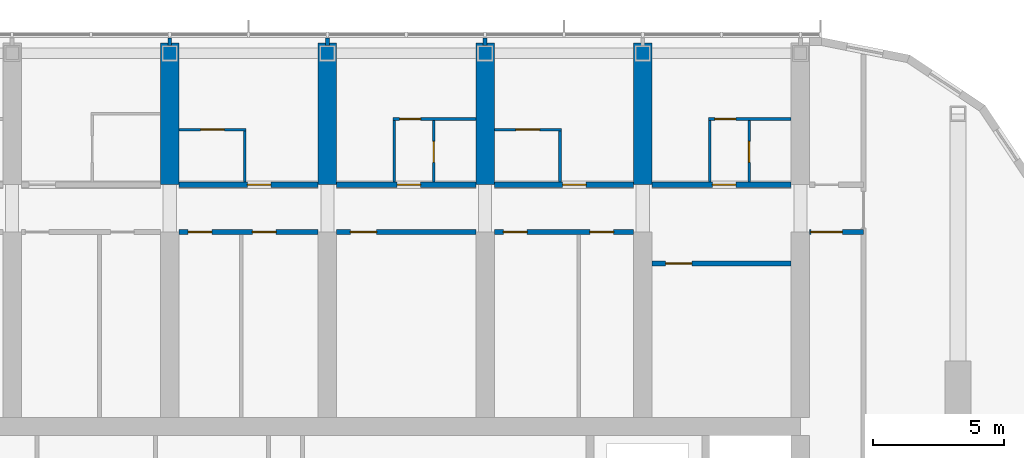
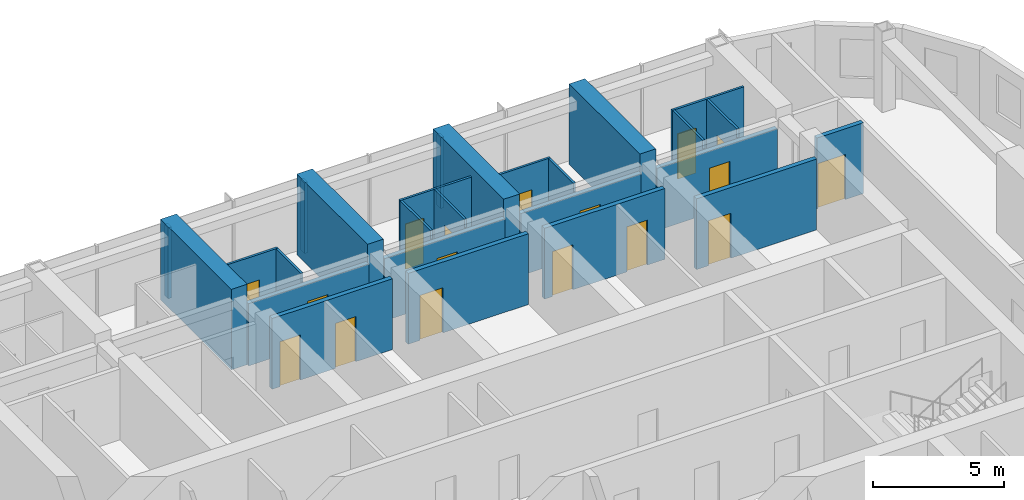
# One storey, part 17 of 23: 26 walls, 17 doors, 17 openings.
"""IFC4 building model written with IfcOpenShell, lengths in metres."""

import ifcopenshell
import ifcopenshell.guid

model = None  # the IFC model being written
_history = None  # IfcOwnerHistory: only IFC2X3 demands one
_inside = {}  # id of a spatial element -> (the spatial element, [elements in it])
_under = {}  # id of a project, library or spatial element -> (it, [spatial elements below it])
_declared = {}  # id of a project -> (the project, [libraries it declares])
_typed = {}  # id of a type object -> (the type object, [elements of that type])
_made_of = {}  # id of a material, layer set ... -> (it, [elements and type objects made of it])


def new_model(schema):
    """Start an empty IFC model of exactly this schema.

    Asked for "IFC4X3", IfcOpenShell would pick the latest addendum, in which some entities
    have other attributes; the version numbers below select the first issue.
    IFC2X3 requires an IfcOwnerHistory on every rooted entity: one is made here for all.
    """
    global model, _history
    if schema == "IFC4X3":
        model = ifcopenshell.file(schema_version=(4, 3, 0, 0))
    else:
        model = ifcopenshell.file(schema=schema)
    _inside.clear()
    _under.clear()
    _declared.clear()
    _typed.clear()
    _made_of.clear()
    _history = None
    if model.schema == "IFC2X3":
        org = make("IfcOrganization", Name="unknown")
        user = make(
            "IfcPersonAndOrganization",
            ThePerson=make("IfcPerson", FamilyName="unknown"),
            TheOrganization=org,
        )
        app = make(
            "IfcApplication",
            ApplicationDeveloper=org,
            Version="unknown",
            ApplicationFullName="unknown",
            ApplicationIdentifier="unknown",
        )
        _history = make(
            "IfcOwnerHistory",
            OwningUser=user,
            OwningApplication=app,
            ChangeAction="ADDED",
            CreationDate=0,
        )
    return model


def make(cls, **values):
    """One entity of the class cls with the attributes given. An attribute that is None is left unset."""
    return model.create_entity(
        cls, **{name: value for name, value in values.items() if value is not None}
    )


def rooted(cls, **values):
    """An entity with a GlobalId (a new one), such as an element, a storey or a relation."""
    return make(cls, GlobalId=ifcopenshell.guid.new(), OwnerHistory=_history, **values)


def si_unit(unit_type, name, prefix=None):
    """IfcSIUnit, for example si_unit("LENGTHUNIT", "METRE", prefix="MILLI")."""
    return make("IfcSIUnit", UnitType=unit_type, Prefix=prefix, Name=name)


def assignment(units):
    """IfcUnitAssignment: the units of a project."""
    return None if units is None else make("IfcUnitAssignment", Units=units)


def point(xyz):
    """IfcCartesianPoint."""
    return None if xyz is None else make("IfcCartesianPoint", Coordinates=xyz)


def direction(xyz):
    """IfcDirection."""
    return None if xyz is None else make("IfcDirection", DirectionRatios=xyz)


def frame(location, z_axis=None, x_axis=None):
    """IfcAxis2Placement3D, a coordinate frame: its origin and axes. An axis left out is left unset."""
    return make(
        "IfcAxis2Placement3D",
        Location=point(location),
        Axis=direction(z_axis),
        RefDirection=direction(x_axis),
    )


def frame_2d(location, x_axis=None):
    """IfcAxis2Placement2D, a coordinate frame in the plane: its origin and x axis."""
    return make(
        "IfcAxis2Placement2D", Location=point(location), RefDirection=direction(x_axis)
    )


def origin():
    """The frame at (0, 0, 0) with its axes left unset."""
    return frame((0.0, 0.0, 0.0))


def place(relative_to, where):
    """IfcLocalPlacement: puts the frame where relative to a parent placement (None: the world)."""
    return make(
        "IfcLocalPlacement", PlacementRelTo=relative_to, RelativePlacement=where
    )


def context(
    kind, dimensions, precision=None, world=None, true_north=None, identifier=None
):
    """IfcGeometricRepresentationContext, for example the 3D "Model" context."""
    return make(
        "IfcGeometricRepresentationContext",
        ContextIdentifier=identifier,
        ContextType=kind,
        CoordinateSpaceDimension=dimensions,
        Precision=precision,
        WorldCoordinateSystem=world,
        TrueNorth=true_north,
    )


def subcontext(parent, identifier, kind, view, scale=None):
    """IfcGeometricRepresentationSubContext, for example "Body" below "Model"."""
    return make(
        "IfcGeometricRepresentationSubContext",
        ContextIdentifier=identifier,
        ContextType=kind,
        ParentContext=parent,
        TargetScale=scale,
        TargetView=view,
    )


def project(units=None, contexts=None):
    """IfcProject with its units and contexts."""
    return rooted(
        "IfcProject",
        Name="project",
        RepresentationContexts=contexts,
        UnitsInContext=assignment(units),
    )


def spatial(cls, under=None, at=None, **own):
    """A site, building, storey or space (cls), placed at a placement, below another one or the project."""
    s = rooted(cls, ObjectPlacement=at, **own)
    if under is not None:
        _under.setdefault(under.id(), (under, []))[1].append(s)
    return s


def polyline(points):
    """IfcPolyline through the points."""
    return make("IfcPolyline", Points=[point(p) for p in points])


def profile(cls, at=None, kind="AREA", **sizes):
    """A parametric profile (cls). Its sizes go by their IFC names, for example OverallWidth=200.0."""
    return make(cls, ProfileType=kind, Position=at, **sizes)


def rectangle(**sizes):
    """IfcRectangleProfileDef."""
    return profile("IfcRectangleProfileDef", **sizes)


def outline(outer, holes=None, kind="AREA"):
    """IfcArbitraryClosedProfileDef: a profile drawn as a closed curve; with holes, ...WithVoids."""
    if holes is None:
        return make("IfcArbitraryClosedProfileDef", ProfileType=kind, OuterCurve=outer)
    return make(
        "IfcArbitraryProfileDefWithVoids",
        ProfileType=kind,
        OuterCurve=outer,
        InnerCurves=holes,
    )


def extrude(swept, where, along, depth):
    """IfcExtrudedAreaSolid: the profile swept, set in the frame where, extruded along a direction by depth."""
    return make(
        "IfcExtrudedAreaSolid",
        SweptArea=swept,
        Position=where,
        ExtrudedDirection=direction(along),
        Depth=depth,
    )


def shape(context_of_items, identifier, shape_type, items):
    """IfcShapeRepresentation: the items that make up one representation, for example the "Body"."""
    return make(
        "IfcShapeRepresentation",
        ContextOfItems=context_of_items,
        RepresentationIdentifier=identifier,
        RepresentationType=shape_type,
        Items=items,
    )


def material(Name=None, Category=None):
    """IfcMaterial."""
    return make("IfcMaterial", Name=Name, Category=Category)


def layer(
    of_material, thickness, ventilated=None, Name=None, Category=None, Priority=None
):
    """IfcMaterialLayer: one layer of a wall or slab, of a material (None: an air gap)."""
    return make(
        "IfcMaterialLayer",
        Material=of_material,
        LayerThickness=thickness,
        IsVentilated=ventilated,
        Name=Name,
        Category=Category,
        Priority=Priority,
    )


def layer_set(layers, Name=None):
    """IfcMaterialLayerSet."""
    return make("IfcMaterialLayerSet", MaterialLayers=layers, LayerSetName=Name)


def made_of(thing, what):
    """Note that an element or type object is made of a material, layer set ...; save() writes the relation."""
    if what is not None:
        _made_of.setdefault(what.id(), (what, []))[1].append(thing)
    return thing


def type_object(cls, material=None, **own):
    """A type object (cls), such as IfcWallType, which elements share."""
    return made_of(rooted(cls, **own), material)


def element(
    cls,
    number,
    at=None,
    inside=None,
    cuts=None,
    type_object=None,
    material=None,
    context=None,
    identifier="Body",
    shape_type=None,
    held_by="IfcProductDefinitionShape",
    body=None,
    shapes=None,
    **own,
):
    """One element of the class cls, such as IfcWall. Its Tag is "e" and its number.

    at: its placement. inside: the storey or other place that contains it. cuts: it is an
    opening in that element (IfcRelVoidsElement). A single representation is given by context,
    identifier, shape_type and body (its items); several are given by shapes. held_by: the class
    of the entity that holds the representations. save() writes the other relations.
    """
    e = rooted(cls, Tag="e%d" % number, ObjectPlacement=at, **own)
    if body is not None:
        shapes = [shape(context, identifier, shape_type, body)]
    if shapes is not None:
        e.Representation = make(held_by, Representations=shapes)
    if inside is not None:
        _inside.setdefault(inside.id(), (inside, []))[1].append(e)
    if cuts is not None:
        rooted(
            "IfcRelVoidsElement", RelatingBuildingElement=cuts, RelatedOpeningElement=e
        )
    if type_object is not None:
        _typed.setdefault(type_object.id(), (type_object, []))[1].append(e)
    return made_of(e, material)


def fill(opening, filler):
    """IfcRelFillsElement: the door or window that sits in an opening."""
    return rooted(
        "IfcRelFillsElement",
        RelatingOpeningElement=opening,
        RelatedBuildingElement=filler,
    )


def aggregate(whole, parts):
    """IfcRelAggregates: a whole, such as a stair, and the parts it consists of."""
    return rooted("IfcRelAggregates", RelatingObject=whole, RelatedObjects=parts)


def save(model, path):
    """Write the relations noted so far, then the file.

    IfcRelAggregates (storeys below a building ...), IfcRelContainedInSpatialStructure (elements
    in a storey), IfcRelDefinesByType, IfcRelAssociatesMaterial and IfcRelDeclares: one each for
    every whole, place, type object, material and project.
    """
    for whole, parts in _under.values():
        aggregate(whole, parts)
    for where, things in _inside.values():
        rooted(
            "IfcRelContainedInSpatialStructure",
            RelatedElements=things,
            RelatingStructure=where,
        )
    for kind, things in _typed.values():
        rooted("IfcRelDefinesByType", RelatedObjects=things, RelatingType=kind)
    for what, things in _made_of.values():
        rooted("IfcRelAssociatesMaterial", RelatedObjects=things, RelatingMaterial=what)
    for by, libraries in _declared.values():
        rooted("IfcRelDeclares", RelatingContext=by, RelatedDefinitions=libraries)
    model.write(path)


model = new_model("IFC4")

# Units and contexts
model_context = context("Model", 3, precision=1e-05, world=origin(), true_north=direction((0.0, 1.0)))
body_context = subcontext(model_context, "Body", "Model", "MODEL_VIEW")
ifc_project = project(units=[si_unit("LENGTHUNIT", "METRE"), si_unit("AREAUNIT", "SQUARE_METRE"), si_unit("VOLUMEUNIT", "CUBIC_METRE"), si_unit("PLANEANGLEUNIT", "RADIAN"), si_unit("MASSUNIT", "GRAM", prefix="KILO")], contexts=[model_context])

# Site, building, storey
site_placement = place(None, origin())
site = spatial("IfcSite", under=ifc_project, at=site_placement, CompositionType="ELEMENT")
building_placement = place(site_placement, origin())
building = spatial("IfcBuilding", under=site, at=building_placement, Name="Orbita Commons", CompositionType="ELEMENT")
storey_placement = place(building_placement, frame((0.0, 0.0, 227.800048828125)))
storey = spatial("IfcBuildingStorey", under=building, at=storey_placement, Name="L56", CompositionType="ELEMENT", Elevation=227.800048828125)

# Wall, opening, door
ifc_material_1 = material(Name="Concrete blockwork", Category="masonry")
ifc_layer_1 = layer(ifc_material_1, 0.199951171875)
ifc_layer_set_1 = layer_set([ifc_layer_1], Name="Concrete blockwork")
wall_type_1 = type_object("IfcWallType", Name="Corridor wall 200 blockwork", PredefinedType="SOLIDWALL", material=ifc_layer_set_1)
wall_1_placement = place(storey_placement, frame((42.35009765625, 47.39990234375, 0.0), z_axis=(0.0, 0.0, 1.0), x_axis=(1.0, 0.0, 0.0)))
wall_1 = element("IfcWall", 1, at=wall_1_placement, inside=storey, type_object=wall_type_1, Name="Corridor wall 200 blockwork L56", PredefinedType="SOLIDWALL", context=body_context, shape_type="SweptSolid", body=[
    extrude(outline(polyline([(0.0, 0.0), (5.2998046875, 0.0), (5.300048828125, 2.89990234375), (0.0, 2.89990234375), (0.0, 0.0)])), frame((0.0, 0.10009765625, 0.0), z_axis=(0.0, -1.0, 0.0), x_axis=(1.0, 0.0, 0.0)), (0.0, 0.0, 1.0), 0.199951171875),
])
opening_1_placement = place(wall_1_placement, frame((2.60009765625, 0.0, 0.0)))
opening_1 = element("IfcOpeningElement", 2, at=opening_1_placement, cuts=wall_1, Name="Opening D11", PredefinedType="OPENING", context=body_context, shape_type="SweptSolid", body=[
    extrude(rectangle(XDim=0.89990234375, YDim=2.10009765625, at=frame_2d((0.449951171875, 1.050048828125))), frame((0.0, 0.10986328125, 0.0), z_axis=(0.0, -1.0, 0.0), x_axis=(1.0, 0.0, 0.0)), (0.0, 0.0, 1.0), 0.219970703125),
])
ifc_material_2 = material(Name="Steel-faced fire door leaf", Category="steel")
door_type_1 = type_object("IfcDoorType", Name="Corridor door 20 min 900x2100", OperationType="SINGLE_SWING_LEFT", PredefinedType="DOOR", material=ifc_material_2)
door_1_placement = place(opening_1_placement, origin())
door_1 = element("IfcDoor", 3, at=door_1_placement, inside=storey, type_object=door_type_1, Name="Studio apartment with kitchenette L56-N08 door", OperationType="SINGLE_SWING_LEFT", OverallHeight=2.10009765625, OverallWidth=0.89990234375, PredefinedType="DOOR", context=body_context, shape_type="SweptSolid", body=[
    extrude(rectangle(XDim=0.89990234375, YDim=2.10009765625, at=frame_2d((0.449951171875, 1.050048828125))), frame((0.0, 0.02490234375, 0.0), z_axis=(0.0, -1.0, 0.0), x_axis=(1.0, 0.0, 0.0)), (0.0, 0.0, 1.0), 0.050048828125),
])
fill(opening_1, door_1)

wall_2_placement = place(storey_placement, frame((48.35009765625, 47.39990234375, 0.0), z_axis=(0.0, 0.0, 1.0), x_axis=(1.0, 0.0, 0.0)))
wall_2 = element("IfcWall", 4, at=wall_2_placement, inside=storey, type_object=wall_type_1, Name="Corridor wall 200 blockwork L56", PredefinedType="SOLIDWALL", context=body_context, shape_type="SweptSolid", body=[
    extrude(outline(polyline([(0.0, 0.0), (5.2998046875, 0.0), (5.300048828125, 2.89990234375), (0.0, 2.89990234375), (0.0, 0.0)])), frame((0.0, 0.10009765625, 0.0), z_axis=(0.0, -1.0, 0.0), x_axis=(1.0, 0.0, 0.0)), (0.0, 0.0, 1.0), 0.199951171875),
])
opening_2_placement = place(wall_2_placement, frame((2.300048828125, 0.0, 0.0)))
opening_2 = element("IfcOpeningElement", 5, at=opening_2_placement, cuts=wall_2, Name="Opening D11", PredefinedType="OPENING", context=body_context, shape_type="SweptSolid", body=[
    extrude(rectangle(XDim=0.89990234375, YDim=2.10009765625, at=frame_2d((0.449951171875, 1.050048828125))), frame((0.0, 0.10986328125, 0.0), z_axis=(0.0, -1.0, 0.0), x_axis=(1.0, 0.0, 0.0)), (0.0, 0.0, 1.0), 0.219970703125),
])
door_2_placement = place(opening_2_placement, origin())
door_2 = element("IfcDoor", 6, at=door_2_placement, inside=storey, type_object=door_type_1, Name="Studio flat L56-N10 entrance door", OperationType="SINGLE_SWING_LEFT", OverallHeight=2.10009765625, OverallWidth=0.89990234375, PredefinedType="DOOR", context=body_context, shape_type="SweptSolid", body=[
    extrude(rectangle(XDim=0.89990234375, YDim=2.10009765625, at=frame_2d((0.449951171875, 1.050048828125))), frame((0.0, 0.02490234375, 0.0), z_axis=(0.0, -1.0, 0.0), x_axis=(1.0, 0.0, 0.0)), (0.0, 0.0, 1.0), 0.050048828125),
])
fill(opening_2, door_2)

wall_3_placement = place(storey_placement, frame((54.35009765625, 47.39990234375, 0.0), z_axis=(0.0, 0.0, 1.0), x_axis=(1.0, 0.0, 0.0)))
wall_3 = element("IfcWall", 7, at=wall_3_placement, inside=storey, type_object=wall_type_1, Name="Corridor wall 200 blockwork L56", PredefinedType="SOLIDWALL", context=body_context, shape_type="SweptSolid", body=[
    extrude(outline(polyline([(0.0, 0.0), (5.2998046875, 0.0), (5.300048828125, 2.89990234375), (0.0, 2.89990234375), (0.0, 0.0)])), frame((0.0, 0.10009765625, 0.0), z_axis=(0.0, -1.0, 0.0), x_axis=(1.0, 0.0, 0.0)), (0.0, 0.0, 1.0), 0.199951171875),
])
opening_3_placement = place(wall_3_placement, frame((2.60009765625, 0.0, 0.0)))
opening_3 = element("IfcOpeningElement", 8, at=opening_3_placement, cuts=wall_3, Name="Opening D11", PredefinedType="OPENING", context=body_context, shape_type="SweptSolid", body=[
    extrude(rectangle(XDim=0.89990234375, YDim=2.10009765625, at=frame_2d((0.449951171875, 1.050048828125))), frame((0.0, 0.10986328125, 0.0), z_axis=(0.0, -1.0, 0.0), x_axis=(1.0, 0.0, 0.0)), (0.0, 0.0, 1.0), 0.219970703125),
])
door_3_placement = place(opening_3_placement, origin())
door_3 = element("IfcDoor", 9, at=door_3_placement, inside=storey, type_object=door_type_1, Name="Studio apartment with kitchenette L56-N12 door", OperationType="SINGLE_SWING_LEFT", OverallHeight=2.10009765625, OverallWidth=0.89990234375, PredefinedType="DOOR", context=body_context, shape_type="SweptSolid", body=[
    extrude(rectangle(XDim=0.89990234375, YDim=2.10009765625, at=frame_2d((0.449951171875, 1.050048828125))), frame((0.0, 0.02490234375, 0.0), z_axis=(0.0, -1.0, 0.0), x_axis=(1.0, 0.0, 0.0)), (0.0, 0.0, 1.0), 0.050048828125),
])
fill(opening_3, door_3)

wall_4_placement = place(storey_placement, frame((60.35009765625, 47.39990234375, 0.0), z_axis=(0.0, 0.0, 1.0), x_axis=(1.0, 0.0, 0.0)))
wall_4 = element("IfcWall", 10, at=wall_4_placement, inside=storey, type_object=wall_type_1, Name="Corridor wall 200 blockwork L56", PredefinedType="SOLIDWALL", context=body_context, shape_type="SweptSolid", body=[
    extrude(outline(polyline([(0.0, 0.0), (5.2998046875, 0.0), (5.300048828125, 2.89990234375), (0.0, 2.89990234375), (0.0, 0.0)])), frame((0.0, 0.10009765625, 0.0), z_axis=(0.0, -1.0, 0.0), x_axis=(1.0, 0.0, 0.0)), (0.0, 0.0, 1.0), 0.199951171875),
])
opening_4_placement = place(wall_4_placement, frame((2.300048828125, 0.0, 0.0)))
opening_4 = element("IfcOpeningElement", 11, at=opening_4_placement, cuts=wall_4, Name="Opening D11", PredefinedType="OPENING", context=body_context, shape_type="SweptSolid", body=[
    extrude(rectangle(XDim=0.89990234375, YDim=2.10009765625, at=frame_2d((0.449951171875, 1.050048828125))), frame((0.0, 0.10986328125, 0.0), z_axis=(0.0, -1.0, 0.0), x_axis=(1.0, 0.0, 0.0)), (0.0, 0.0, 1.0), 0.219970703125),
])
door_4_placement = place(opening_4_placement, origin())
door_4 = element("IfcDoor", 12, at=door_4_placement, inside=storey, type_object=door_type_1, Name="Studio flat L56-N14 entrance door", OperationType="SINGLE_SWING_LEFT", OverallHeight=2.10009765625, OverallWidth=0.89990234375, PredefinedType="DOOR", context=body_context, shape_type="SweptSolid", body=[
    extrude(rectangle(XDim=0.89990234375, YDim=2.10009765625, at=frame_2d((0.449951171875, 1.050048828125))), frame((0.0, 0.02490234375, 0.0), z_axis=(0.0, -1.0, 0.0), x_axis=(1.0, 0.0, 0.0)), (0.0, 0.0, 1.0), 0.050048828125),
])
fill(opening_4, door_4)

# Wall, openings, doors
ifc_material_3 = material(Name="Hollow concrete block 200", Category="concrete")
ifc_layer_2 = layer(ifc_material_3, 0.199951171875)
ifc_layer_set_2 = layer_set([ifc_layer_2], Name="Hollow concrete block 200")
wall_type_2 = type_object("IfcWallType", Name="Corridor wall 200 hollow concrete block", PredefinedType="SOLIDWALL", material=ifc_layer_set_2)
wall_5_placement = place(storey_placement, frame((42.35009765625, 45.60009765625, 0.0), z_axis=(0.0, 0.0, 1.0), x_axis=(1.0, 0.0, 0.0)))
wall_5 = element("IfcWall", 13, at=wall_5_placement, inside=storey, type_object=wall_type_2, Name="Corridor wall 200 hollow concrete block L56", PredefinedType="SOLIDWALL", context=body_context, shape_type="SweptSolid", body=[
    extrude(rectangle(XDim=5.2998046875, YDim=0.199951171875, at=frame_2d((2.64990234375, 0.0))), origin(), (0.0, 0.0, 1.0), 3.300048828125),
])
opening_5_placement = place(wall_5_placement, frame((0.35009765625, 0.0, 0.0)))
opening_5 = element("IfcOpeningElement", 14, at=opening_5_placement, cuts=wall_5, Name="Opening D11", PredefinedType="OPENING", context=body_context, shape_type="SweptSolid", body=[
    extrude(rectangle(XDim=0.89990234375, YDim=2.10009765625, at=frame_2d((0.449951171875, 1.050048828125))), frame((0.0, 0.10986328125, 0.0), z_axis=(0.0, -1.0, 0.0), x_axis=(1.0, 0.0, 0.0)), (0.0, 0.0, 1.0), 0.219970703125),
])
opening_6_placement = place(wall_5_placement, frame((2.794921875, 0.0, 0.0)))
opening_6 = element("IfcOpeningElement", 15, at=opening_6_placement, cuts=wall_5, Name="Opening D11", PredefinedType="OPENING", context=body_context, shape_type="SweptSolid", body=[
    extrude(rectangle(XDim=0.89990234375, YDim=2.10009765625, at=frame_2d((0.449951171875, 1.050048828125))), frame((0.0, 0.10986328125, 0.0), z_axis=(0.0, -1.0, 0.0), x_axis=(1.0, 0.0, 0.0)), (0.0, 0.0, 1.0), 0.219970703125),
])
door_5_placement = place(opening_5_placement, origin())
door_5 = element("IfcDoor", 16, at=door_5_placement, inside=storey, type_object=door_type_1, Name="Sprinkler valve room L56-BDN42n door", OperationType="SINGLE_SWING_LEFT", OverallHeight=2.10009765625, OverallWidth=0.89990234375, PredefinedType="DOOR", context=body_context, shape_type="SweptSolid", body=[
    extrude(rectangle(XDim=0.89990234375, YDim=2.10009765625, at=frame_2d((0.449951171875, 1.050048828125))), frame((0.0, 0.02490234375, 0.0), z_axis=(0.0, -1.0, 0.0), x_axis=(1.0, 0.0, 0.0)), (0.0, 0.0, 1.0), 0.050048828125),
])
fill(opening_5, door_5)
door_6_placement = place(opening_6_placement, origin())
door_6 = element("IfcDoor", 17, at=door_6_placement, inside=storey, type_object=door_type_1, Name="Parcel and post room L56-BDN42 door", OperationType="SINGLE_SWING_LEFT", OverallHeight=2.10009765625, OverallWidth=0.89990234375, PredefinedType="DOOR", context=body_context, shape_type="SweptSolid", body=[
    extrude(rectangle(XDim=0.89990234375, YDim=2.10009765625, at=frame_2d((0.449951171875, 1.050048828125))), frame((0.0, 0.02490234375, 0.0), z_axis=(0.0, -1.0, 0.0), x_axis=(1.0, 0.0, 0.0)), (0.0, 0.0, 1.0), 0.050048828125),
])
fill(opening_6, door_6)

# Wall, opening, door
wall_6_placement = place(storey_placement, frame((48.35009765625, 45.60009765625, 0.0), z_axis=(0.0, 0.0, 1.0), x_axis=(1.0, 0.0, 0.0)))
wall_6 = element("IfcWall", 18, at=wall_6_placement, inside=storey, type_object=wall_type_2, Name="Corridor wall 200 hollow concrete block L56", PredefinedType="SOLIDWALL", context=body_context, shape_type="SweptSolid", body=[
    extrude(rectangle(XDim=5.2998046875, YDim=0.199951171875, at=frame_2d((2.64990234375, 0.0))), origin(), (0.0, 0.0, 1.0), 3.300048828125),
])
opening_7_placement = place(wall_6_placement, frame((0.52490234375, 0.0, 0.0)))
opening_7 = element("IfcOpeningElement", 19, at=opening_7_placement, cuts=wall_6, Name="Opening D06", PredefinedType="OPENING", context=body_context, shape_type="SweptSolid", body=[
    extrude(rectangle(XDim=1.0, YDim=2.10009765625, at=frame_2d((0.5, 1.050048828125))), frame((0.0, 0.10986328125, 0.0), z_axis=(0.0, -1.0, 0.0), x_axis=(1.0, 0.0, 0.0)), (0.0, 0.0, 1.0), 0.219970703125),
])
ifc_material_4 = material(Name="Steel-faced fire door leaf", Category="steel")
door_type_2 = type_object("IfcDoorType", Name="Corridor door 20 min 1000x2100", OperationType="SINGLE_SWING_LEFT", PredefinedType="DOOR", material=ifc_material_4)
door_7_placement = place(opening_7_placement, origin())
door_7 = element("IfcDoor", 20, at=door_7_placement, inside=storey, type_object=door_type_2, Name="Store L56-BDN48 door", OperationType="SINGLE_SWING_LEFT", OverallHeight=2.10009765625, OverallWidth=1.0, PredefinedType="DOOR", context=body_context, shape_type="SweptSolid", body=[
    extrude(rectangle(XDim=1.0, YDim=2.10009765625, at=frame_2d((0.5, 1.050048828125))), frame((0.0, 0.02490234375, 0.0), z_axis=(0.0, -1.0, 0.0), x_axis=(1.0, 0.0, 0.0)), (0.0, 0.0, 1.0), 0.050048828125),
])
fill(opening_7, door_7)

# Wall, openings, doors
wall_7_placement = place(storey_placement, frame((54.35009765625, 45.60009765625, 0.0), z_axis=(0.0, 0.0, 1.0), x_axis=(1.0, 0.0, 0.0)))
wall_7 = element("IfcWall", 21, at=wall_7_placement, inside=storey, type_object=wall_type_2, Name="Corridor wall 200 hollow concrete block L56", PredefinedType="SOLIDWALL", context=body_context, shape_type="SweptSolid", body=[
    extrude(rectangle(XDim=5.2998046875, YDim=0.199951171875, at=frame_2d((2.64990234375, 0.0))), origin(), (0.0, 0.0, 1.0), 3.300048828125),
])
opening_8_placement = place(wall_7_placement, frame((0.35009765625, 0.0, 0.0)))
opening_8 = element("IfcOpeningElement", 22, at=opening_8_placement, cuts=wall_7, Name="Opening D11", PredefinedType="OPENING", context=body_context, shape_type="SweptSolid", body=[
    extrude(rectangle(XDim=0.89990234375, YDim=2.10009765625, at=frame_2d((0.449951171875, 1.050048828125))), frame((0.0, 0.10986328125, 0.0), z_axis=(0.0, -1.0, 0.0), x_axis=(1.0, 0.0, 0.0)), (0.0, 0.0, 1.0), 0.219970703125),
])
opening_9_placement = place(wall_7_placement, frame((3.639892578125, 0.0, 0.0)))
opening_9 = element("IfcOpeningElement", 23, at=opening_9_placement, cuts=wall_7, Name="Opening D11", PredefinedType="OPENING", context=body_context, shape_type="SweptSolid", body=[
    extrude(rectangle(XDim=0.89990234375, YDim=2.10009765625, at=frame_2d((0.449951171875, 1.050048828125))), frame((0.0, 0.10986328125, 0.0), z_axis=(0.0, -1.0, 0.0), x_axis=(1.0, 0.0, 0.0)), (0.0, 0.0, 1.0), 0.219970703125),
])
door_8_placement = place(opening_8_placement, origin())
door_8 = element("IfcDoor", 24, at=door_8_placement, inside=storey, type_object=door_type_1, Name="Linen store L56-BDN54 door", OperationType="SINGLE_SWING_LEFT", OverallHeight=2.10009765625, OverallWidth=0.89990234375, PredefinedType="DOOR", context=body_context, shape_type="SweptSolid", body=[
    extrude(rectangle(XDim=0.89990234375, YDim=2.10009765625, at=frame_2d((0.449951171875, 1.050048828125))), frame((0.0, 0.02490234375, 0.0), z_axis=(0.0, -1.0, 0.0), x_axis=(1.0, 0.0, 0.0)), (0.0, 0.0, 1.0), 0.050048828125),
])
fill(opening_8, door_8)
door_9_placement = place(opening_9_placement, origin())
door_9 = element("IfcDoor", 25, at=door_9_placement, inside=storey, type_object=door_type_1, Name="Water heater cupboard L56-BDN54n door", OperationType="SINGLE_SWING_LEFT", OverallHeight=2.10009765625, OverallWidth=0.89990234375, PredefinedType="DOOR", context=body_context, shape_type="SweptSolid", body=[
    extrude(rectangle(XDim=0.89990234375, YDim=2.10009765625, at=frame_2d((0.449951171875, 1.050048828125))), frame((0.0, 0.02490234375, 0.0), z_axis=(0.0, -1.0, 0.0), x_axis=(1.0, 0.0, 0.0)), (0.0, 0.0, 1.0), 0.050048828125),
])
fill(opening_9, door_9)

# Wall, opening, door
wall_8_placement = place(storey_placement, frame((66.35009765625, 45.60009765625, 0.0), z_axis=(0.0, 0.0, 1.0), x_axis=(1.0, 0.0, 0.0)))
wall_8 = element("IfcWall", 26, at=wall_8_placement, inside=storey, type_object=wall_type_2, Name="Corridor wall 200 hollow concrete block L56", PredefinedType="SOLIDWALL", context=body_context, shape_type="SweptSolid", body=[
    extrude(rectangle(XDim=2.0498046875, YDim=0.199951171875, at=frame_2d((1.02490234375, 0.0))), origin(), (0.0, 0.0, 1.0), 3.300048828125),
])
opening_10_placement = place(wall_8_placement, frame((0.050048828125, 0.0, 0.0)))
opening_10 = element("IfcOpeningElement", 27, at=opening_10_placement, cuts=wall_8, Name="Opening D12", PredefinedType="OPENING", context=body_context, shape_type="SweptSolid", body=[
    extrude(rectangle(XDim=1.199951171875, YDim=2.10009765625, at=frame_2d((0.60009765625, 1.050048828125))), frame((0.0, 0.10986328125, 0.0), z_axis=(0.0, -1.0, 0.0), x_axis=(1.0, 0.0, 0.0)), (0.0, 0.0, 1.0), 0.219970703125),
])
ifc_material_5 = material(Name="Steel-faced fire door leaf", Category="steel")
door_type_3 = type_object("IfcDoorType", Name="Double corridor door 20 min 1200x2100", OperationType="DOUBLE_DOOR_SINGLE_SWING", PredefinedType="DOOR", material=ifc_material_5)
door_10_placement = place(opening_10_placement, origin())
door_10 = element("IfcDoor", 28, at=door_10_placement, inside=storey, type_object=door_type_3, Name="Cross corridor doors", OperationType="DOUBLE_DOOR_SINGLE_SWING", OverallHeight=2.10009765625, OverallWidth=1.199951171875, PredefinedType="DOOR", context=body_context, shape_type="SweptSolid", body=[
    extrude(rectangle(XDim=1.199951171875, YDim=2.10009765625, at=frame_2d((0.60009765625, 1.050048828125))), frame((0.0, 0.02490234375, 0.0), z_axis=(0.0, -1.0, 0.0), x_axis=(1.0, 0.0, 0.0)), (0.0, 0.0, 1.0), 0.050048828125),
])
fill(opening_10, door_10)

wall_9_placement = place(storey_placement, frame((60.35009765625, 44.39990234375, 0.0), z_axis=(0.0, 0.0, 1.0), x_axis=(1.0, 0.0, 0.0)))
wall_9 = element("IfcWall", 29, at=wall_9_placement, inside=storey, type_object=wall_type_2, Name="Corridor wall 200 hollow concrete block L56", PredefinedType="SOLIDWALL", context=body_context, shape_type="SweptSolid", body=[
    extrude(rectangle(XDim=5.2998046875, YDim=0.199951171875, at=frame_2d((2.64990234375, 0.0))), origin(), (0.0, 0.0, 1.0), 3.300048828125),
])
opening_11_placement = place(wall_9_placement, frame((0.52490234375, 0.0, 0.0)))
opening_11 = element("IfcOpeningElement", 30, at=opening_11_placement, cuts=wall_9, Name="Opening D06", PredefinedType="OPENING", context=body_context, shape_type="SweptSolid", body=[
    extrude(rectangle(XDim=1.0, YDim=2.10009765625, at=frame_2d((0.5, 1.050048828125))), frame((0.0, 0.10986328125, 0.0), z_axis=(0.0, -1.0, 0.0), x_axis=(1.0, 0.0, 0.0)), (0.0, 0.0, 1.0), 0.219970703125),
])
door_11_placement = place(opening_11_placement, origin())
door_11 = element("IfcDoor", 31, at=door_11_placement, inside=storey, type_object=door_type_2, Name="Print and copy room L56-BDN60 door", OperationType="SINGLE_SWING_LEFT", OverallHeight=2.10009765625, OverallWidth=1.0, PredefinedType="DOOR", context=body_context, shape_type="SweptSolid", body=[
    extrude(rectangle(XDim=1.0, YDim=2.10009765625, at=frame_2d((0.5, 1.050048828125))), frame((0.0, 0.02490234375, 0.0), z_axis=(0.0, -1.0, 0.0), x_axis=(1.0, 0.0, 0.0)), (0.0, 0.0, 1.0), 0.050048828125),
])
fill(opening_11, door_11)

# Walls
ifc_material_6 = material(Name="Concrete C50/60", Category="concrete")
ifc_layer_3 = layer(ifc_material_6, 0.699951171875)
ifc_layer_set_3 = layer_set([ifc_layer_3], Name="Concrete C50/60")
wall_type_3 = type_object("IfcWallType", Name="Cross wall 700 C50/60", PredefinedType="SHEAR", material=ifc_layer_set_3)
for number, where, z_axis, x_axis, name in (
    (32, (42.0, 47.39990234375, 0.0), (0.0, 0.0, 1.0), (0.0, 1.0, 0.0), "Cross wall 8 north outer L56"),
    (33, (48.0, 47.39990234375, 0.0), (0.0, 0.0, 1.0), (0.0, 1.0, 0.0), "Cross wall 9 north outer L56"),
    (34, (54.0, 47.39990234375, 0.0), (0.0, 0.0, 1.0), (0.0, 1.0, 0.0), "Cross wall 10 north outer L56"),
    (35, (60.0, 47.39990234375, 0.0), (0.0, 0.0, 1.0), (0.0, 1.0, 0.0), "Cross wall 11 north outer L56"),
):
    element("IfcWall", number, at=place(storey_placement, frame(where, z_axis=z_axis, x_axis=x_axis)), inside=storey, type_object=wall_type_3, Name=name, PredefinedType="SHEAR", context=body_context, shape_type="SweptSolid", body=[
        extrude(rectangle(XDim=5.400146484375, YDim=0.699951171875, at=frame_2d((2.7001953125, 0.0))), origin(), (0.0, 0.0, 1.0), 3.75),
    ])

# Wall, opening, door
ifc_material_7 = material(Name="Moisture-resistant plasterboard on steel studs", Category="steel")
ifc_layer_4 = layer(ifc_material_7, 0.10009765625)
ifc_layer_set_4 = layer_set([ifc_layer_4], Name="Moisture-resistant plasterboard on steel studs")
wall_type_4 = type_object("IfcWallType", Name="En-suite partition 100", PredefinedType="PARTITIONING", material=ifc_layer_set_4)
wall_10_placement = place(storey_placement, frame((42.35009765625, 49.5, 0.0), z_axis=(0.0, 0.0, 1.0), x_axis=(1.0, 0.0, 0.0)))
wall_10 = element("IfcWall", 36, at=wall_10_placement, inside=storey, type_object=wall_type_4, Name="En-suite partition 100 L56", PredefinedType="PARTITIONING", context=body_context, shape_type="SweptSolid", body=[
    extrude(rectangle(XDim=2.5498046875, YDim=0.10009765625, at=frame_2d((1.27490234375, 0.0))), origin(), (0.0, 0.0, 1.0), 3.300048828125),
])
opening_12_placement = place(wall_10_placement, frame((0.824951171875, 0.0, 0.0)))
opening_12 = element("IfcOpeningElement", 37, at=opening_12_placement, cuts=wall_10, Name="Opening D09", PredefinedType="OPENING", context=body_context, shape_type="SweptSolid", body=[
    extrude(rectangle(XDim=0.89990234375, YDim=2.10009765625, at=frame_2d((0.449951171875, 1.050048828125))), frame((0.0, 0.06005859375, 0.0), z_axis=(0.0, -1.0, 0.0), x_axis=(1.0, 0.0, 0.0)), (0.0, 0.0, 1.0), 0.1201171875),
])
ifc_material_8 = material(Name="Laminated timber door leaf", Category="wood")
door_type_4 = type_object("IfcDoorType", Name="En-suite door 900x2100", OperationType="SINGLE_SWING_RIGHT", PredefinedType="DOOR", material=ifc_material_8)
door_12_placement = place(opening_12_placement, origin())
door_12 = element("IfcDoor", 38, at=door_12_placement, inside=storey, type_object=door_type_4, Name="En-suite L56-N08 door", OperationType="SINGLE_SWING_RIGHT", OverallHeight=2.10009765625, OverallWidth=0.89990234375, PredefinedType="DOOR", context=body_context, shape_type="SweptSolid", body=[
    extrude(rectangle(XDim=0.89990234375, YDim=2.10009765625, at=frame_2d((0.449951171875, 1.050048828125))), frame((0.0, 0.02490234375, 0.0), z_axis=(0.0, -1.0, 0.0), x_axis=(1.0, 0.0, 0.0)), (0.0, 0.0, 1.0), 0.050048828125),
])
fill(opening_12, door_12)

# Wall
wall_11_placement = place(storey_placement, frame((44.85009765625, 49.449951171875, 0.0), z_axis=(0.0, 0.0, 1.0), x_axis=(0.0, -1.0, 0.0)))
element("IfcWall", 39, at=wall_11_placement, inside=storey, type_object=wall_type_4, Name="En-suite partition 100 L56", PredefinedType="PARTITIONING", context=body_context, shape_type="SweptSolid", body=[
    extrude(outline(polyline([(0.0, 0.0), (1.949951171875, 0.0), (1.949951171875, 2.89990234375), (1.902099609375, 2.89990234375), (1.89990234375, 3.300048828125), (0.0, 3.300048828125), (0.0, 0.0)])), frame((0.0, 0.050048828125, 0.0), z_axis=(0.0, -1.0, 0.0), x_axis=(1.0, 0.0, 0.0)), (0.0, 0.0, 1.0), 0.10009765625),
])

# Wall, opening, door
wall_12_placement = place(storey_placement, frame((50.5, 49.89990234375, 0.0), z_axis=(0.0, 0.0, 1.0), x_axis=(1.0, 0.0, 0.0)))
wall_12 = element("IfcWall", 40, at=wall_12_placement, inside=storey, type_object=wall_type_4, Name="En-suite partition 100 L56", PredefinedType="PARTITIONING", context=body_context, shape_type="SweptSolid", body=[
    extrude(rectangle(XDim=3.14990234375, YDim=0.10009765625, at=frame_2d((1.574951171875, 0.0))), origin(), (0.0, 0.0, 1.0), 3.300048828125),
])
opening_13_placement = place(wall_12_placement, frame((0.25, 0.0, 0.0)))
opening_13 = element("IfcOpeningElement", 41, at=opening_13_placement, cuts=wall_12, Name="Opening D16", PredefinedType="OPENING", context=body_context, shape_type="SweptSolid", body=[
    extrude(rectangle(XDim=0.800048828125, YDim=2.10009765625, at=frame_2d((0.39990234375, 1.050048828125))), frame((0.0, 0.06005859375, 0.0), z_axis=(0.0, -1.0, 0.0), x_axis=(1.0, 0.0, 0.0)), (0.0, 0.0, 1.0), 0.1201171875),
])
ifc_material_9 = material(Name="Laminated timber door leaf", Category="wood")
door_type_5 = type_object("IfcDoorType", Name="En-suite door 800x2100", OperationType="SINGLE_SWING_RIGHT", PredefinedType="DOOR", material=ifc_material_9)
door_13_placement = place(opening_13_placement, origin())
door_13 = element("IfcDoor", 42, at=door_13_placement, inside=storey, type_object=door_type_5, Name="Studio flat L56-N10 door", OperationType="SINGLE_SWING_RIGHT", OverallHeight=2.10009765625, OverallWidth=0.800048828125, PredefinedType="DOOR", context=body_context, shape_type="SweptSolid", body=[
    extrude(rectangle(XDim=0.800048828125, YDim=2.10009765625, at=frame_2d((0.39990234375, 1.050048828125))), frame((0.0, 0.02490234375, 0.0), z_axis=(0.0, -1.0, 0.0), x_axis=(1.0, 0.0, 0.0)), (0.0, 0.0, 1.0), 0.050048828125),
])
fill(opening_13, door_13)

# Wall
wall_13_placement = place(storey_placement, frame((50.550048828125, 49.85009765625, 0.0), z_axis=(0.0, 0.0, 1.0), x_axis=(0.0, -1.0, 0.0)))
element("IfcWall", 43, at=wall_13_placement, inside=storey, type_object=wall_type_4, Name="En-suite partition 100 L56", PredefinedType="PARTITIONING", context=body_context, shape_type="SweptSolid", body=[
    extrude(outline(polyline([(0.0, 0.0), (2.35009765625, 0.0), (2.35009765625, 2.89990234375), (2.302001953125, 2.89990234375), (2.300048828125, 3.300048828125), (0.0, 3.300048828125), (0.0, 0.0)])), frame((0.0, 0.050048828125, 0.0), z_axis=(0.0, -1.0, 0.0), x_axis=(1.0, 0.0, 0.0)), (0.0, 0.0, 1.0), 0.10009765625),
])

# Wall, opening, door
wall_14_placement = place(storey_placement, frame((52.050048828125, 49.85009765625, 0.0), z_axis=(0.0, 0.0, 1.0), x_axis=(0.0, -1.0, 0.0)))
wall_14 = element("IfcWall", 44, at=wall_14_placement, inside=storey, type_object=wall_type_4, Name="En-suite partition 100 L56", PredefinedType="PARTITIONING", context=body_context, shape_type="SweptSolid", body=[
    extrude(outline(polyline([(0.0, 0.0), (2.35009765625, 0.0), (2.35009765625, 2.89990234375), (2.302001953125, 2.89990234375), (2.300048828125, 3.300048828125), (0.0, 3.300048828125), (0.0, 0.0)])), frame((0.0, 0.050048828125, 0.0), z_axis=(0.0, -1.0, 0.0), x_axis=(1.0, 0.0, 0.0)), (0.0, 0.0, 1.0), 0.10009765625),
])
opening_14_placement = place(wall_14_placement, frame((0.800048828125, 0.0, 0.0)))
opening_14 = element("IfcOpeningElement", 45, at=opening_14_placement, cuts=wall_14, Name="Opening D16", PredefinedType="OPENING", context=body_context, shape_type="SweptSolid", body=[
    extrude(rectangle(XDim=0.800048828125, YDim=2.10009765625, at=frame_2d((0.39990234375, 1.050048828125))), frame((0.0, 0.06005859375, 0.0), z_axis=(0.0, -1.0, 0.0), x_axis=(1.0, 0.0, 0.0)), (0.0, 0.0, 1.0), 0.1201171875),
])
door_14_placement = place(opening_14_placement, origin())
door_14 = element("IfcDoor", 46, at=door_14_placement, inside=storey, type_object=door_type_5, Name="Studio flat shower room L56-N10 door", OperationType="SINGLE_SWING_RIGHT", OverallHeight=2.10009765625, OverallWidth=0.800048828125, PredefinedType="DOOR", context=body_context, shape_type="SweptSolid", body=[
    extrude(rectangle(XDim=0.800048828125, YDim=2.10009765625, at=frame_2d((0.39990234375, 1.050048828125))), frame((0.0, 0.02490234375, 0.0), z_axis=(0.0, -1.0, 0.0), x_axis=(1.0, 0.0, 0.0)), (0.0, 0.0, 1.0), 0.050048828125),
])
fill(opening_14, door_14)

wall_15_placement = place(storey_placement, frame((54.35009765625, 49.5, 0.0), z_axis=(0.0, 0.0, 1.0), x_axis=(1.0, 0.0, 0.0)))
wall_15 = element("IfcWall", 47, at=wall_15_placement, inside=storey, type_object=wall_type_4, Name="En-suite partition 100 L56", PredefinedType="PARTITIONING", context=body_context, shape_type="SweptSolid", body=[
    extrude(rectangle(XDim=2.5498046875, YDim=0.10009765625, at=frame_2d((1.27490234375, 0.0))), origin(), (0.0, 0.0, 1.0), 3.300048828125),
])
opening_15_placement = place(wall_15_placement, frame((0.824951171875, 0.0, 0.0)))
opening_15 = element("IfcOpeningElement", 48, at=opening_15_placement, cuts=wall_15, Name="Opening D09", PredefinedType="OPENING", context=body_context, shape_type="SweptSolid", body=[
    extrude(rectangle(XDim=0.89990234375, YDim=2.10009765625, at=frame_2d((0.449951171875, 1.050048828125))), frame((0.0, 0.06005859375, 0.0), z_axis=(0.0, -1.0, 0.0), x_axis=(1.0, 0.0, 0.0)), (0.0, 0.0, 1.0), 0.1201171875),
])
door_15_placement = place(opening_15_placement, origin())
door_15 = element("IfcDoor", 49, at=door_15_placement, inside=storey, type_object=door_type_4, Name="En-suite L56-N12 door", OperationType="SINGLE_SWING_RIGHT", OverallHeight=2.10009765625, OverallWidth=0.89990234375, PredefinedType="DOOR", context=body_context, shape_type="SweptSolid", body=[
    extrude(rectangle(XDim=0.89990234375, YDim=2.10009765625, at=frame_2d((0.449951171875, 1.050048828125))), frame((0.0, 0.02490234375, 0.0), z_axis=(0.0, -1.0, 0.0), x_axis=(1.0, 0.0, 0.0)), (0.0, 0.0, 1.0), 0.050048828125),
])
fill(opening_15, door_15)

# Wall
wall_16_placement = place(storey_placement, frame((56.85009765625, 49.449951171875, 0.0), z_axis=(0.0, 0.0, 1.0), x_axis=(0.0, -1.0, 0.0)))
element("IfcWall", 50, at=wall_16_placement, inside=storey, type_object=wall_type_4, Name="En-suite partition 100 L56", PredefinedType="PARTITIONING", context=body_context, shape_type="SweptSolid", body=[
    extrude(outline(polyline([(0.0, 0.0), (1.949951171875, 0.0), (1.949951171875, 2.89990234375), (1.902099609375, 2.89990234375), (1.89990234375, 3.300048828125), (0.0, 3.300048828125), (0.0, 0.0)])), frame((0.0, 0.050048828125, 0.0), z_axis=(0.0, -1.0, 0.0), x_axis=(1.0, 0.0, 0.0)), (0.0, 0.0, 1.0), 0.10009765625),
])

# Wall, opening, door
wall_17_placement = place(storey_placement, frame((62.5, 49.89990234375, 0.0), z_axis=(0.0, 0.0, 1.0), x_axis=(1.0, 0.0, 0.0)))
wall_17 = element("IfcWall", 51, at=wall_17_placement, inside=storey, type_object=wall_type_4, Name="En-suite partition 100 L56", PredefinedType="PARTITIONING", context=body_context, shape_type="SweptSolid", body=[
    extrude(rectangle(XDim=3.14990234375, YDim=0.10009765625, at=frame_2d((1.574951171875, 0.0))), origin(), (0.0, 0.0, 1.0), 3.300048828125),
])
opening_16_placement = place(wall_17_placement, frame((0.25, 0.0, 0.0)))
opening_16 = element("IfcOpeningElement", 52, at=opening_16_placement, cuts=wall_17, Name="Opening D16", PredefinedType="OPENING", context=body_context, shape_type="SweptSolid", body=[
    extrude(rectangle(XDim=0.800048828125, YDim=2.10009765625, at=frame_2d((0.39990234375, 1.050048828125))), frame((0.0, 0.06005859375, 0.0), z_axis=(0.0, -1.0, 0.0), x_axis=(1.0, 0.0, 0.0)), (0.0, 0.0, 1.0), 0.1201171875),
])
door_16_placement = place(opening_16_placement, origin())
door_16 = element("IfcDoor", 53, at=door_16_placement, inside=storey, type_object=door_type_5, Name="Studio flat L56-N14 door", OperationType="SINGLE_SWING_RIGHT", OverallHeight=2.10009765625, OverallWidth=0.800048828125, PredefinedType="DOOR", context=body_context, shape_type="SweptSolid", body=[
    extrude(rectangle(XDim=0.800048828125, YDim=2.10009765625, at=frame_2d((0.39990234375, 1.050048828125))), frame((0.0, 0.02490234375, 0.0), z_axis=(0.0, -1.0, 0.0), x_axis=(1.0, 0.0, 0.0)), (0.0, 0.0, 1.0), 0.050048828125),
])
fill(opening_16, door_16)

# Wall
wall_18_placement = place(storey_placement, frame((62.550048828125, 49.85009765625, 0.0), z_axis=(0.0, 0.0, 1.0), x_axis=(0.0, -1.0, 0.0)))
element("IfcWall", 54, at=wall_18_placement, inside=storey, type_object=wall_type_4, Name="En-suite partition 100 L56", PredefinedType="PARTITIONING", context=body_context, shape_type="SweptSolid", body=[
    extrude(outline(polyline([(0.0, 0.0), (2.35009765625, 0.0), (2.35009765625, 2.89990234375), (2.302001953125, 2.89990234375), (2.300048828125, 3.300048828125), (0.0, 3.300048828125), (0.0, 0.0)])), frame((0.0, 0.050048828125, 0.0), z_axis=(0.0, -1.0, 0.0), x_axis=(1.0, 0.0, 0.0)), (0.0, 0.0, 1.0), 0.10009765625),
])

# Wall, opening, door
wall_19_placement = place(storey_placement, frame((64.050048828125, 49.85009765625, 0.0), z_axis=(0.0, 0.0, 1.0), x_axis=(0.0, -1.0, 0.0)))
wall_19 = element("IfcWall", 55, at=wall_19_placement, inside=storey, type_object=wall_type_4, Name="En-suite partition 100 L56", PredefinedType="PARTITIONING", context=body_context, shape_type="SweptSolid", body=[
    extrude(outline(polyline([(0.0, 0.0), (2.35009765625, 0.0), (2.35009765625, 2.89990234375), (2.302001953125, 2.89990234375), (2.300048828125, 3.300048828125), (0.0, 3.300048828125), (0.0, 0.0)])), frame((0.0, 0.050048828125, 0.0), z_axis=(0.0, -1.0, 0.0), x_axis=(1.0, 0.0, 0.0)), (0.0, 0.0, 1.0), 0.10009765625),
])
opening_17_placement = place(wall_19_placement, frame((0.800048828125, 0.0, 0.0)))
opening_17 = element("IfcOpeningElement", 56, at=opening_17_placement, cuts=wall_19, Name="Opening D16", PredefinedType="OPENING", context=body_context, shape_type="SweptSolid", body=[
    extrude(rectangle(XDim=0.800048828125, YDim=2.10009765625, at=frame_2d((0.39990234375, 1.050048828125))), frame((0.0, 0.06005859375, 0.0), z_axis=(0.0, -1.0, 0.0), x_axis=(1.0, 0.0, 0.0)), (0.0, 0.0, 1.0), 0.1201171875),
])
door_17_placement = place(opening_17_placement, origin())
door_17 = element("IfcDoor", 57, at=door_17_placement, inside=storey, type_object=door_type_5, Name="Studio flat shower room L56-N14 door", OperationType="SINGLE_SWING_RIGHT", OverallHeight=2.10009765625, OverallWidth=0.800048828125, PredefinedType="DOOR", context=body_context, shape_type="SweptSolid", body=[
    extrude(rectangle(XDim=0.800048828125, YDim=2.10009765625, at=frame_2d((0.39990234375, 1.050048828125))), frame((0.0, 0.02490234375, 0.0), z_axis=(0.0, -1.0, 0.0), x_axis=(1.0, 0.0, 0.0)), (0.0, 0.0, 1.0), 0.050048828125),
])
fill(opening_17, door_17)

# Walls
ifc_material_10 = material(Name="Gypsum plasterboard on steel studs", Category="steel")
ifc_layer_5 = layer(ifc_material_10, 0.14990234375)
ifc_layer_set_5 = layer_set([ifc_layer_5], Name="Gypsum plasterboard on steel studs")
wall_type_5 = type_object("IfcWallType", Name="Partition 150 plasterboard", PredefinedType="PARTITIONING", material=ifc_layer_set_5)
for number, where, z_axis, x_axis, name in (
    (58, (42.0, 52.699951171875, 0.0), (0.0, 0.0, 1.0), (0.0, 1.0, 0.0), "Partition 150 plasterboard L56"),
    (59, (48.0, 52.699951171875, 0.0), (0.0, 0.0, 1.0), (0.0, 1.0, 0.0), "Partition 150 plasterboard L56"),
    (60, (54.0, 52.699951171875, 0.0), (0.0, 0.0, 1.0), (0.0, 1.0, 0.0), "Partition 150 plasterboard L56"),
):
    element("IfcWall", number, at=place(storey_placement, frame(where, z_axis=z_axis, x_axis=x_axis)), inside=storey, type_object=wall_type_5, Name=name, PredefinedType="PARTITIONING", context=body_context, shape_type="SweptSolid", body=[
        extrude(rectangle(XDim=0.2900390625, YDim=0.14990234375, at=frame_2d((0.14501953125, 0.0))), origin(), (0.0, 0.0, 1.0), 3.300048828125),
    ])

save(model, "model.ifc")
